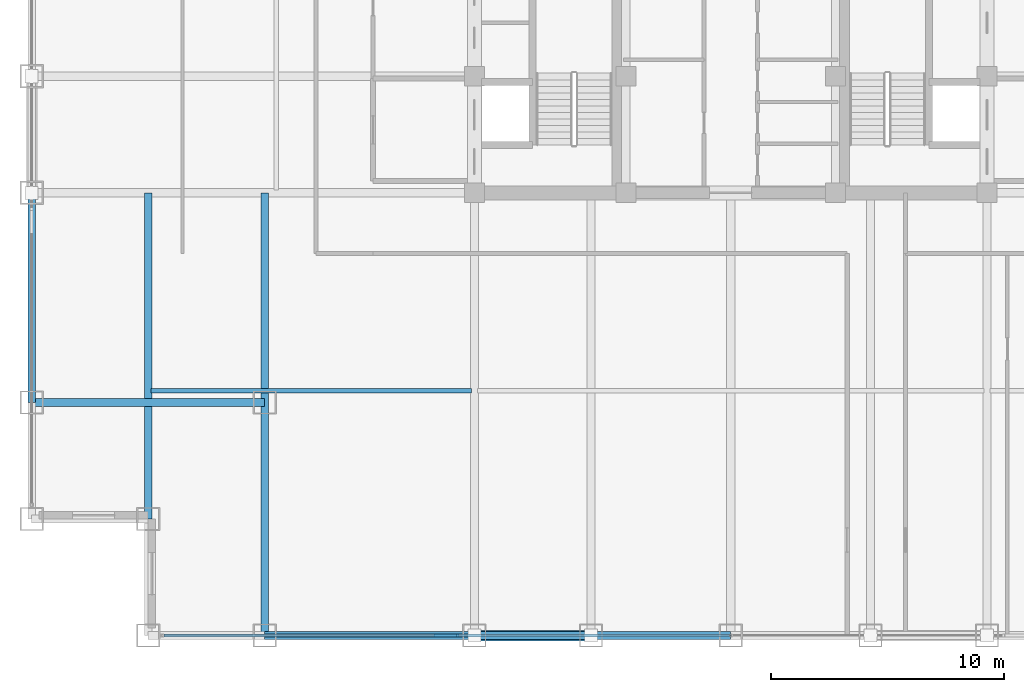
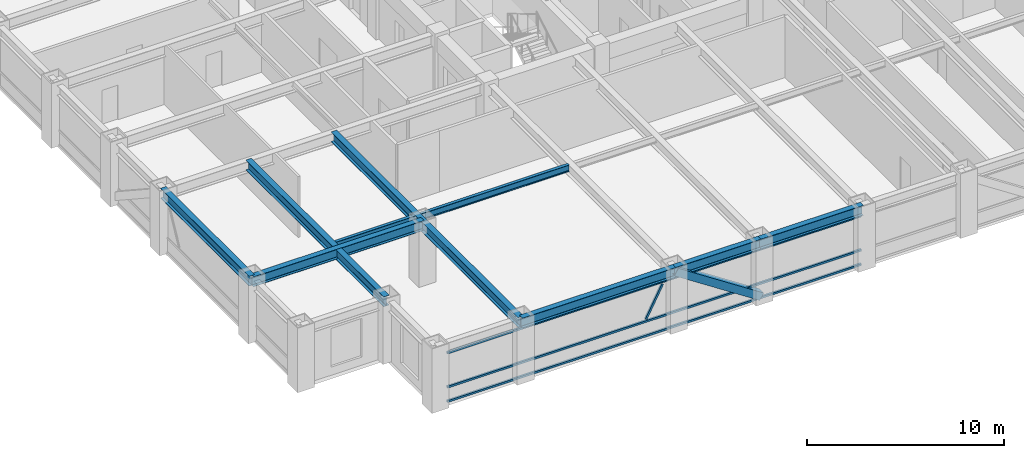
# One storey, part 3 of 25: 8 beams, 5 members, 1 element without a shape of its own.
"""IFC4 building model written with IfcOpenShell, lengths in metres."""

from ifc_helpers import new_model, si_unit, direction, frame, origin, origin_2d, place, context, subcontext, project, spatial, hollow_rectangle, i_section, extrude, source, transform, mapped, material, material_profile, profile_set, type_object, element, aggregate, save


model = new_model("IFC4")

# Units and contexts
model_context = context("Model", 3, precision=1e-05, world=origin(), true_north=direction((0.0, 1.0)))
body_context = subcontext(model_context, "Body", "Model", "MODEL_VIEW")
ifc_project = project(units=[si_unit("LENGTHUNIT", "METRE"), si_unit("AREAUNIT", "SQUARE_METRE"), si_unit("VOLUMEUNIT", "CUBIC_METRE"), si_unit("PLANEANGLEUNIT", "RADIAN"), si_unit("MASSUNIT", "GRAM", prefix="KILO")], contexts=[model_context])

# Site, building, storey
site_placement = place(None, origin())
site = spatial("IfcSite", under=ifc_project, at=site_placement, CompositionType="ELEMENT")
building_placement = place(site_placement, origin())
building = spatial("IfcBuilding", under=site, at=building_placement, Name="Khorayat Bourse Tower", CompositionType="ELEMENT")
storey_placement = place(building_placement, frame((0.0, 0.0, 227.10009765625)))
storey = spatial("IfcBuildingStorey", under=building, at=storey_placement, Name="L53", CompositionType="ELEMENT", Elevation=227.10009765625)

# Beams
ifc_material_1 = material(Name="Steel ASTM A992 Grade 50", Category="steel")
ifc_material_profile_1 = material_profile(ifc_material_1, i_section(OverallWidth=0.324951171875, OverallDepth=0.615966796875, WebThickness=0.013916015625, FlangeThickness=0.021484375, FilletRadius=0.01611328125, at=origin_2d()), Name="W610X174")
ifc_profile_set_1 = profile_set([ifc_material_profile_1], Name="Steel ASTM A992 Grade 50")
beam_type_1 = type_object("IfcBeamType", Name="BM-GIRD-610", PredefinedType="BEAM", material=ifc_profile_set_1)
shared_shape_1 = source(origin(), body_context, "Body", "SweptSolid", [
    extrude(i_section(OverallWidth=0.324951171875, OverallDepth=0.615966796875, WebThickness=0.013916015625, FlangeThickness=0.021484375, FilletRadius=0.01611328125, at=origin_2d()), origin(), (0.0, 0.0, 1.0), 19.0),
])
beam_1_placement = place(storey_placement, frame((-20.0, -30.0, 3.471923828125), z_axis=(0.0, 1.0, 0.0), x_axis=(-1.0, 0.0, 0.0)))
element("IfcBeam", 1, at=beam_1_placement, inside=storey, type_object=beam_type_1, Name="L53 BM-GIRD-610 BM-L53-CNRY-084", PredefinedType="BEAM", context=body_context, shape_type="MappedRepresentation", body=[
    mapped(shared_shape_1, transform((0.0, 0.0, 0.0), scale=1.0)),
])
shared_shape_2 = source(origin(), body_context, "Body", "SweptSolid", [
    extrude(i_section(OverallWidth=0.324951171875, OverallDepth=0.615966796875, WebThickness=0.013916015625, FlangeThickness=0.021484375, FilletRadius=0.01611328125, at=origin_2d()), origin(), (0.0, 0.0, 1.0), 10.0),
])
beam_2_placement = place(storey_placement, frame((-30.0, -20.0, 3.471923828125), z_axis=(1.0, 0.0, 0.0), x_axis=(0.0, 1.0, 0.0)))
element("IfcBeam", 2, at=beam_2_placement, inside=storey, type_object=beam_type_1, Name="L53 BM-GIRD-610 BM-L53-CNRX-093", PredefinedType="BEAM", context=body_context, shape_type="MappedRepresentation", body=[
    mapped(shared_shape_2, transform((0.0, 0.0, 0.0), scale=1.0)),
])
ifc_material_profile_2 = material_profile(ifc_material_1, i_section(OverallWidth=0.324951171875, OverallDepth=0.615966796875, WebThickness=0.013916015625, FlangeThickness=0.021484375, FilletRadius=0.01611328125, at=origin_2d()), Name="W610X174")
ifc_profile_set_2 = profile_set([ifc_material_profile_2], Name="Steel ASTM A992 Grade 50")
beam_type_2 = type_object("IfcBeamType", Name="BM-SPAN-610", PredefinedType="SPANDREL", material=ifc_profile_set_2)
shared_shape_3 = source(origin(), body_context, "Body", "SweptSolid", [
    extrude(i_section(OverallWidth=0.324951171875, OverallDepth=0.615966796875, WebThickness=0.013916015625, FlangeThickness=0.021484375, FilletRadius=0.01611328125, at=origin_2d()), origin(), (0.0, 0.0, 1.0), 9.0),
])
for number, where, z_axis, x_axis, name in (
    (3, (-20.0, -30.0, 3.471923828125), (1.0, 0.0, 0.0), (0.0, 1.0, 0.0), "L53 BM-SPAN-610 BM-L53-SPN-025"),
    (4, (-30.0, -20.0, 3.471923828125), (0.0, 1.0, 0.0), (-1.0, 0.0, 0.0), "L53 BM-SPAN-610 BM-L53-SPN-060"),
):
    element("IfcBeam", number, at=place(storey_placement, frame(where, z_axis=z_axis, x_axis=x_axis)), inside=storey, type_object=beam_type_2, Name=name, PredefinedType="SPANDREL", context=body_context, shape_type="MappedRepresentation", body=[
        mapped(shared_shape_3, transform((0.0, 0.0, 0.0), scale=1.0)),
    ])
shared_shape_4 = source(origin(), body_context, "Body", "SweptSolid", [
    extrude(i_section(OverallWidth=0.324951171875, OverallDepth=0.615966796875, WebThickness=0.013916015625, FlangeThickness=0.021484375, FilletRadius=0.01611328125, at=origin_2d()), origin(), (0.0, 0.0, 1.0), 5.0),
])
beam_3_placement = place(storey_placement, frame((-11.0, -30.0, 3.471923828125), z_axis=(1.0, 0.0, 0.0), x_axis=(0.0, 1.0, 0.0)))
element("IfcBeam", 5, at=beam_3_placement, inside=storey, type_object=beam_type_2, Name="L53 BM-SPAN-610 BM-L53-SPN-026", PredefinedType="SPANDREL", context=body_context, shape_type="MappedRepresentation", body=[
    mapped(shared_shape_4, transform((0.0, 0.0, 0.0), scale=1.0)),
])
shared_shape_5 = source(origin(), body_context, "Body", "SweptSolid", [
    extrude(i_section(OverallWidth=0.324951171875, OverallDepth=0.615966796875, WebThickness=0.013916015625, FlangeThickness=0.021484375, FilletRadius=0.01611328125, at=origin_2d()), origin(), (0.0, 0.0, 1.0), 6.0),
])
beam_4_placement = place(storey_placement, frame((-6.0, -30.0, 3.471923828125), z_axis=(1.0, 0.0, 0.0), x_axis=(0.0, 1.0, 0.0)))
element("IfcBeam", 6, at=beam_4_placement, inside=storey, type_object=beam_type_2, Name="L53 BM-SPAN-610 BM-L53-SPN-027", PredefinedType="SPANDREL", context=body_context, shape_type="MappedRepresentation", body=[
    mapped(shared_shape_5, transform((0.0, 0.0, 0.0), scale=1.0)),
])
shared_shape_6 = source(origin(), body_context, "Body", "SweptSolid", [
    extrude(i_section(OverallWidth=0.324951171875, OverallDepth=0.615966796875, WebThickness=0.013916015625, FlangeThickness=0.021484375, FilletRadius=0.01611328125, at=origin_2d()), origin(), (0.0, 0.0, 1.0), 14.0),
])
beam_5_placement = place(storey_placement, frame((-25.0, -25.0, 3.471923828125), z_axis=(0.0, 1.0, 0.0), x_axis=(-1.0, 0.0, 0.0)))
element("IfcBeam", 7, at=beam_5_placement, inside=storey, type_object=beam_type_1, Name="L53 BM-GIRD-610 BM-L53-CNRY-088", PredefinedType="BEAM", context=body_context, shape_type="MappedRepresentation", body=[
    mapped(shared_shape_6, transform((0.0, 0.0, 0.0), scale=1.0)),
])
ifc_material_profile_3 = material_profile(ifc_material_1, i_section(OverallWidth=0.180908203125, OverallDepth=0.4169921875, WebThickness=0.010986328125, FlangeThickness=0.018310546875, FilletRadius=0.011962890625, at=origin_2d()), Name="W410X85")
ifc_profile_set_3 = profile_set([ifc_material_profile_3], Name="Steel ASTM A992 Grade 50")
beam_type_3 = type_object("IfcBeamType", Name="BM-JOIST-410", PredefinedType="JOIST", material=ifc_profile_set_3)
shared_shape_7 = source(origin(), body_context, "Body", "SweptSolid", [
    extrude(i_section(OverallWidth=0.180908203125, OverallDepth=0.4169921875, WebThickness=0.010986328125, FlangeThickness=0.018310546875, FilletRadius=0.011962890625, at=origin_2d()), origin(), (0.0, 0.0, 1.0), 13.740234375),
])
beam_6_placement = place(storey_placement, frame((-24.8701171875, -19.5, 3.5712890625), z_axis=(1.0, 0.0, 0.0), x_axis=(0.0, 1.0, 0.0)))
element("IfcBeam", 8, at=beam_6_placement, inside=storey, type_object=beam_type_3, Name="L53 BM-JOIST-410 BM-L53-JSTX-096", PredefinedType="JOIST", context=body_context, shape_type="MappedRepresentation", body=[
    mapped(shared_shape_7, transform((0.0, 0.0, 0.0), scale=1.0)),
])

# Member
ifc_material_2 = material(Name="Steel EN 10025-4 S460M", Category="steel")
ifc_material_profile_4 = material_profile(ifc_material_2, hollow_rectangle(XDim=0.449951171875, YDim=0.449951171875, WallThickness=0.02490234375, at=origin_2d()), Name="HSS 450x450x25")
ifc_profile_set_4 = profile_set([ifc_material_profile_4], Name="Steel EN 10025-4 S460M")
member_type_1 = type_object("IfcMemberType", Name="MBR-TUBE-450", PredefinedType="BRACE", material=ifc_profile_set_4)
shared_shape_8 = source(origin(), body_context, "Body", "SweptSolid", [
    extrude(hollow_rectangle(XDim=0.449951171875, YDim=0.449951171875, WallThickness=0.02490234375, at=origin_2d()), origin(), (0.0, 0.0, 1.0), 5.979736328125),
])
member_1_placement = place(storey_placement, frame((-11.0, -30.0, 3.52978515625), z_axis=(0.836160261256, 0.0, -0.548485202623), x_axis=(0.0, 1.0, 0.0)))
element("IfcMember", 9, at=member_1_placement, inside=storey, type_object=member_type_1, Name="L53 Perimeter Tube Brace 01", PredefinedType="BRACE", context=body_context, shape_type="MappedRepresentation", body=[
    mapped(shared_shape_8, transform((0.0, 0.0, 0.0), scale=1.0)),
])

# Curtain wall, members
ifc_material_3 = material(Name="Aluminium EN AW-6063 T6", Category="aluminium")
curtain_wall_type = type_object("IfcCurtainWallType", Name="CW-SYS-03", PredefinedType="NOTDEFINED", material=ifc_material_3)
curtain_wall_placement = place(storey_placement, origin())
curtain_wall = element("IfcCurtainWall", 10, at=curtain_wall_placement, inside=storey, type_object=curtain_wall_type, Name="L53 Curtain Wall CW-L53-S1", PredefinedType="NOTDEFINED")
ifc_material_profile_5 = material_profile(ifc_material_3, hollow_rectangle(XDim=0.1201171875, YDim=0.1201171875, WallThickness=0.0048828125, at=origin_2d()), Name="ALU 120x120x5")
ifc_profile_set_5 = profile_set([ifc_material_profile_5], Name="Aluminium EN AW-6063 T6")
member_type_2 = type_object("IfcMemberType", Name="CWM-DIAG-120", PredefinedType="MULLION", material=ifc_profile_set_5)
shared_shape_9 = source(origin(), body_context, "Body", "SweptSolid", [
    extrude(hollow_rectangle(XDim=0.1201171875, YDim=0.1201171875, WallThickness=0.0048828125, at=origin_2d()), origin(), (0.0, 0.0, 1.0), 2.079345703125),
])
member_2_placement = place(storey_placement, frame((-12.67919921875, -30.0, 1.08984375), z_axis=(0.465760949701, 0.0, 0.884910581773), x_axis=(0.0, 1.0, 0.0)))
member_2 = element("IfcMember", 11, at=member_2_placement, type_object=member_type_2, Name="CW-L53-S1 Faceted Diagonal Mullion 1", PredefinedType="MULLION", context=body_context, shape_type="MappedRepresentation", body=[
    mapped(shared_shape_9, transform((0.0, 0.0, 0.0), scale=1.0)),
])
ifc_material_profile_6 = material_profile(ifc_material_3, hollow_rectangle(XDim=0.1201171875, YDim=0.1201171875, WallThickness=0.0048828125, at=origin_2d()), Name="ALU 120x120x5")
ifc_profile_set_6 = profile_set([ifc_material_profile_6], Name="Aluminium EN AW-6063 T6")
member_type_3 = type_object("IfcMemberType", Name="CWT-HORZ-120", PredefinedType="USERDEFINED", material=ifc_profile_set_6)
shared_shape_10 = source(origin(), body_context, "Body", "SweptSolid", [
    extrude(hollow_rectangle(XDim=0.1201171875, YDim=0.1201171875, WallThickness=0.0048828125, at=origin_2d()), origin(), (0.0, 0.0, 1.0), 24.27001953125),
])
member_3_placement = place(storey_placement, frame((-24.330078125, -30.0, 0.059814453125), z_axis=(1.0, 0.0, 0.0), x_axis=(0.0, 1.0, 0.0)))
member_3 = element("IfcMember", 12, at=member_3_placement, type_object=member_type_3, Name="CW-L53-S1 Horizontal Transom 1-1", ObjectType="TRANSOM", PredefinedType="USERDEFINED", context=body_context, shape_type="MappedRepresentation", body=[
    mapped(shared_shape_10, transform((0.0, 0.0, 0.0), scale=1.0)),
])
member_4_placement = place(storey_placement, frame((-24.330078125, -30.0, 0.949951171875), z_axis=(1.0, 0.0, 0.0), x_axis=(0.0, 1.0, 0.0)))
member_4 = element("IfcMember", 13, at=member_4_placement, type_object=member_type_3, Name="CW-L53-S1 Horizontal Transom 1-2", ObjectType="TRANSOM", PredefinedType="USERDEFINED", context=body_context, shape_type="MappedRepresentation", body=[
    mapped(shared_shape_10, transform((0.0, 0.0, 0.0), scale=1.0)),
])
member_5_placement = place(storey_placement, frame((-24.330078125, -30.0, 3.06982421875), z_axis=(1.0, 0.0, 0.0), x_axis=(0.0, 1.0, 0.0)))
member_5 = element("IfcMember", 14, at=member_5_placement, type_object=member_type_3, Name="CW-L53-S1 Horizontal Transom 1-3", ObjectType="TRANSOM", PredefinedType="USERDEFINED", context=body_context, shape_type="MappedRepresentation", body=[
    mapped(shared_shape_10, transform((0.0, 0.0, 0.0), scale=1.0)),
])
aggregate(curtain_wall, [member_3, member_4, member_5, member_2])

save(model, "model.ifc")
